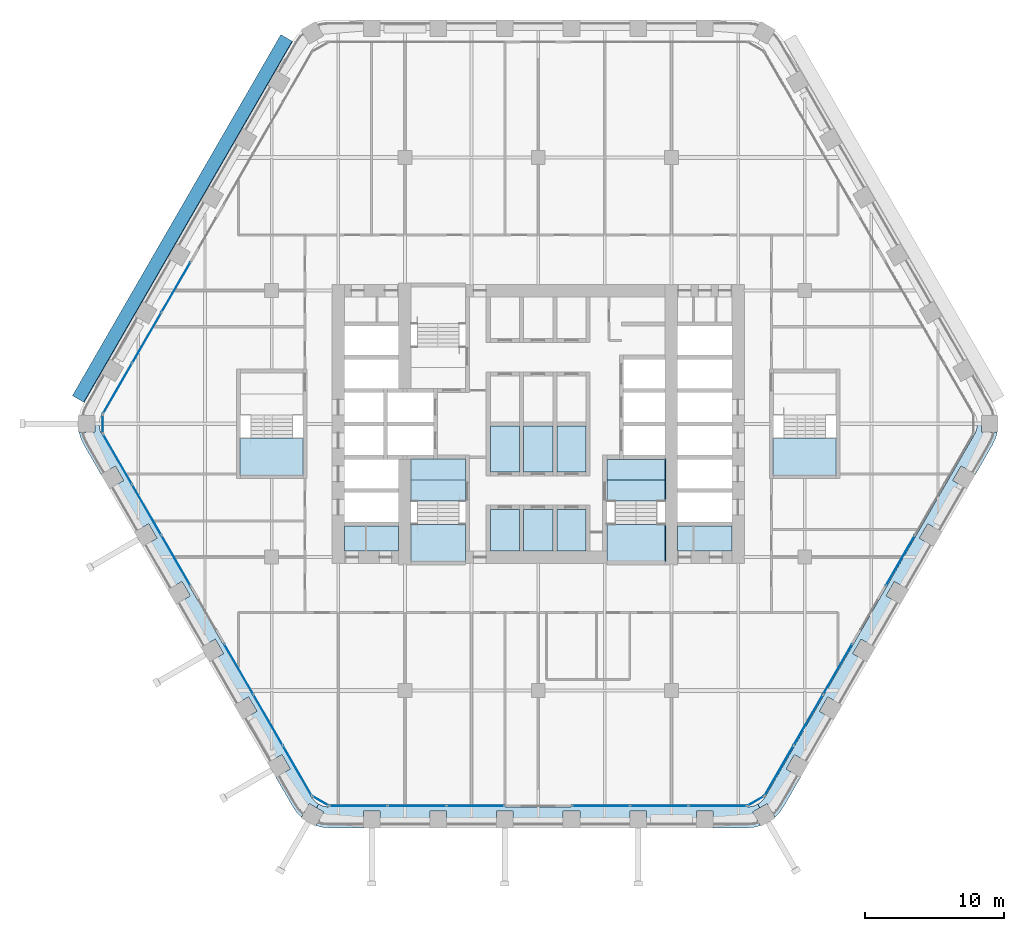
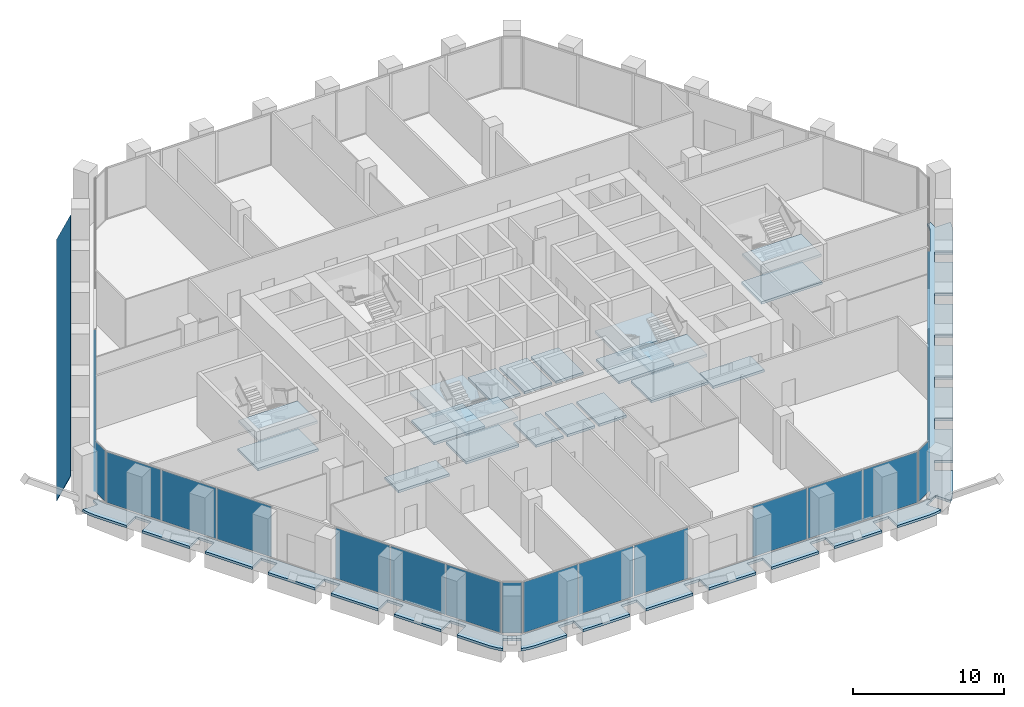
# One storey, part 12 of 26: 25 slabs, 23 plates, 14 elements without a shape of their own.
"""IFC4 building model written with IfcOpenShell, lengths in metres."""

from ifc_helpers import new_model, si_unit, direction, frame, origin, origin_2d, place, context, subcontext, project, spatial, polyline, rectangle, outline, extrude, material, layer, layer_set, type_object, element, aggregate, save


model = new_model("IFC4")

# Units and contexts
model_context = context("Model", 3, precision=1e-05, world=origin(), true_north=direction((0.0, 1.0)))
body_context = subcontext(model_context, "Body", "Model", "MODEL_VIEW")
ifc_project = project(units=[si_unit("LENGTHUNIT", "METRE"), si_unit("AREAUNIT", "SQUARE_METRE"), si_unit("VOLUMEUNIT", "CUBIC_METRE"), si_unit("PLANEANGLEUNIT", "RADIAN"), si_unit("MASSUNIT", "GRAM", prefix="KILO")], contexts=[model_context])

# Site, building, storey
site_placement = place(None, origin())
site = spatial("IfcSite", under=ifc_project, at=site_placement, CompositionType="ELEMENT")
building_placement = place(site_placement, origin())
building = spatial("IfcBuilding", under=site, at=building_placement, Name="Kolab Exchange Tower", CompositionType="ELEMENT")
storey_placement = place(building_placement, frame((0.0, 0.0, 104.89990234375)))
storey = spatial("IfcBuildingStorey", under=building, at=storey_placement, Name="L20", CompositionType="ELEMENT", Elevation=104.89990234375)

# Slabs
ifc_material_1 = material(Name="Concrete C35/45", Category="concrete")
ifc_layer_1 = layer(ifc_material_1, 0.199951171875)
ifc_layer_set_1 = layer_set([ifc_layer_1], Name="Concrete C35/45")
slab_type_1 = type_object("IfcSlabType", Name="FLOOR SLAB 200", PredefinedType="FLOOR", material=ifc_layer_set_1)
slab_1_placement = place(storey_placement, frame((0.0, 0.0, -0.199951171875)))
element("IfcSlab", 1, at=slab_1_placement, inside=storey, type_object=slab_type_1, Name="slab/L20/floor/2", PredefinedType="FLOOR", context=body_context, shape_type="SweptSolid", body=[
    extrude(outline(polyline([(-10.050048828125, -9.14990234375), (-10.050048828125, -7.35009765625), (-13.949951171875, -7.35009765625), (-13.949951171875, -9.14990234375), (-10.050048828125, -9.14990234375)])), origin(), (0.0, 0.0, 1.0), 0.199951171875),
])
slab_2_placement = place(storey_placement, frame((0.0, 0.0, -0.199951171875)))
element("IfcSlab", 2, at=slab_2_placement, inside=storey, type_object=slab_type_1, Name="slab/L20/floor/4", PredefinedType="FLOOR", context=body_context, shape_type="SweptSolid", body=[
    extrude(outline(polyline([(10.050048828125, -9.14990234375), (13.949951171875, -9.14990234375), (13.949951171875, -7.35009765625), (10.050048828125, -7.35009765625), (10.050048828125, -9.14990234375)])), origin(), (0.0, 0.0, 1.0), 0.199951171875),
])
slab_3_placement = place(storey_placement, frame((0.0, 0.0, -0.199951171875)))
element("IfcSlab", 3, at=slab_3_placement, inside=storey, type_object=slab_type_1, Name="slab/L20/floor/6", PredefinedType="FLOOR", context=body_context, shape_type="SweptSolid", body=[
    extrude(outline(polyline([(-1.35009765625, -3.449951171875), (-1.35009765625, -0.14990234375), (-3.449951171875, -0.14990234375), (-3.449951171875, -3.449951171875), (-1.35009765625, -3.449951171875)])), origin(), (0.0, 0.0, 1.0), 0.199951171875),
])
slab_4_placement = place(storey_placement, frame((0.0, 0.0, -0.199951171875)))
element("IfcSlab", 4, at=slab_4_placement, inside=storey, type_object=slab_type_1, Name="slab/L20/floor/8", PredefinedType="FLOOR", context=body_context, shape_type="SweptSolid", body=[
    extrude(outline(polyline([(-1.050048828125, -0.14990234375), (-1.050048828125, -3.449951171875), (1.050048828125, -3.449951171875), (1.050048828125, -0.14990234375), (-1.050048828125, -0.14990234375)])), origin(), (0.0, 0.0, 1.0), 0.199951171875),
])
slab_5_placement = place(storey_placement, frame((0.0, 0.0, -0.199951171875)))
element("IfcSlab", 5, at=slab_5_placement, inside=storey, type_object=slab_type_1, Name="slab/L20/floor/10", PredefinedType="FLOOR", context=body_context, shape_type="SweptSolid", body=[
    extrude(outline(polyline([(1.35009765625, -3.449951171875), (3.449951171875, -3.449951171875), (3.449951171875, -0.14990234375), (1.35009765625, -0.14990234375), (1.35009765625, -3.449951171875)])), origin(), (0.0, 0.0, 1.0), 0.199951171875),
])
slab_6_placement = place(storey_placement, frame((0.0, 0.0, -0.199951171875)))
element("IfcSlab", 6, at=slab_6_placement, inside=storey, type_object=slab_type_1, Name="slab/L20/floor/14", PredefinedType="FLOOR", context=body_context, shape_type="SweptSolid", body=[
    extrude(outline(polyline([(-1.35009765625, -6.14990234375), (-3.449951171875, -6.14990234375), (-3.449951171875, -9.14990234375), (-1.35009765625, -9.14990234375), (-1.35009765625, -6.14990234375)])), origin(), (0.0, 0.0, 1.0), 0.199951171875),
])
slab_7_placement = place(storey_placement, frame((0.0, 0.0, -0.199951171875)))
element("IfcSlab", 7, at=slab_7_placement, inside=storey, type_object=slab_type_1, Name="slab/L20/floor/16", PredefinedType="FLOOR", context=body_context, shape_type="SweptSolid", body=[
    extrude(outline(polyline([(1.050048828125, -6.14990234375), (-1.050048828125, -6.14990234375), (-1.050048828125, -9.14990234375), (1.050048828125, -9.14990234375), (1.050048828125, -6.14990234375)])), origin(), (0.0, 0.0, 1.0), 0.199951171875),
])
slab_8_placement = place(storey_placement, frame((0.0, 0.0, -0.199951171875)))
element("IfcSlab", 8, at=slab_8_placement, inside=storey, type_object=slab_type_1, Name="slab/L20/floor/18", PredefinedType="FLOOR", context=body_context, shape_type="SweptSolid", body=[
    extrude(outline(polyline([(1.35009765625, -6.14990234375), (1.35009765625, -9.14990234375), (3.449951171875, -9.14990234375), (3.449951171875, -6.14990234375), (1.35009765625, -6.14990234375)])), origin(), (0.0, 0.0, 1.0), 0.199951171875),
])
slab_9_placement = place(storey_placement, frame((0.0, 0.0, -0.199951171875)))
element("IfcSlab", 9, at=slab_9_placement, inside=storey, type_object=slab_type_1, Name="slab/L20/floor/20", PredefinedType="FLOOR", context=body_context, shape_type="SweptSolid", body=[
    extrude(outline(polyline([(4.949951171875, -4.050048828125), (9.14990234375, -4.050048828125), (9.14990234375, -2.550048828125), (6.14990234375, -2.550048828125), (5.85009765625, -2.550048828125), (4.949951171875, -2.550048828125), (4.949951171875, -4.050048828125)])), origin(), (0.0, 0.0, 1.0), 0.199951171875),
])
slab_10_placement = place(storey_placement, frame((0.0, 0.0, -0.199951171875)))
element("IfcSlab", 10, at=slab_10_placement, inside=storey, type_object=slab_type_1, Name="slab/L20/floor/21", PredefinedType="FLOOR", context=body_context, shape_type="SweptSolid", body=[
    extrude(outline(polyline([(-9.14990234375, -2.550048828125), (-9.14990234375, -4.050048828125), (-5.25, -4.050048828125), (-5.25, -2.550048828125), (-7.25, -2.550048828125), (-7.550048828125, -2.550048828125), (-9.14990234375, -2.550048828125)])), origin(), (0.0, 0.0, 1.0), 0.199951171875),
])
ifc_layer_2 = layer(ifc_material_1, 0.199951171875)
ifc_layer_set_2 = layer_set([ifc_layer_2], Name="Concrete C35/45")
slab_type_2 = type_object("IfcSlabType", Name="LOGGIA SLAB 200", PredefinedType="FLOOR", material=ifc_layer_set_2)
slab_11_placement = place(storey_placement, frame((0.0, 0.0, -0.199951171875)))
element("IfcSlab", 11, at=slab_11_placement, inside=storey, type_object=slab_type_2, Name="slab/L20/loggia/2-0", PredefinedType="FLOOR", context=body_context, shape_type="SweptSolid", body=[
    extrude(outline(polyline([(17.666015625, -27.598388671875), (18.89990234375, -25.461181640625), (17.86083984375, -24.861083984375), (18.460693359375, -23.822021484375), (19.5, -24.421875), (21.300048828125, -21.30419921875), (20.2607421875, -20.704345703125), (20.86083984375, -19.6650390625), (21.89990234375, -20.264892578125), (23.699951171875, -17.147216796875), (22.660888671875, -16.54736328125), (23.2607421875, -15.508056640625), (24.300048828125, -16.108154296875), (26.10009765625, -12.990478515625), (25.060791015625, -12.390380859375), (25.660888671875, -11.35107421875), (26.699951171875, -11.951171875), (28.5, -8.83349609375), (27.460693359375, -8.2333984375), (28.060791015625, -7.1943359375), (29.10009765625, -7.794189453125), (30.89990234375, -4.676513671875), (29.86083984375, -4.076416015625), (30.460693359375, -3.037353515625), (31.5, -3.63720703125), (32.73388671875, -1.5), (32.955078125, -1.026123046875), (33.069091796875, -0.60009765625), (31.935791015625, -0.60009765625), (31.935791015625, 0.0), (31.635986328125, 0.0), (31.613037109375, -0.260498046875), (31.54541015625, -0.512939453125), (31.434814453125, -0.75), (16.366943359375, -26.848388671875), (16.217041015625, -27.062744140625), (16.0322265625, -27.24755859375), (15.81787109375, -27.3974609375), (15.968017578125, -27.6572265625), (16.487548828125, -27.357177734375), (17.05419921875, -28.338623046875), (17.365966796875, -28.02685546875), (17.666015625, -27.598388671875)])), origin(), (0.0, 0.0, 1.0), 0.199951171875),
])
slab_12_placement = place(storey_placement, frame((0.0, 0.0, -0.199951171875)))
element("IfcSlab", 12, at=slab_12_placement, inside=storey, type_object=slab_type_2, Name="slab/L20/loggia/3-0", PredefinedType="FLOOR", context=body_context, shape_type="SweptSolid", body=[
    extrude(outline(polyline([(-15.81787109375, -27.3974609375), (-15.968017578125, -27.6572265625), (-15.4482421875, -27.957275390625), (-16.014892578125, -28.938720703125), (-15.5888671875, -29.052978515625), (-15.06787109375, -29.098388671875), (-12.60009765625, -29.098388671875), (-12.60009765625, -27.8984375), (-11.39990234375, -27.8984375), (-11.39990234375, -29.098388671875), (-7.800048828125, -29.098388671875), (-7.800048828125, -27.8984375), (-6.60009765625, -27.8984375), (-6.60009765625, -29.098388671875), (-3.0, -29.098388671875), (-3.0, -27.8984375), (-1.800048828125, -27.8984375), (-1.800048828125, -29.098388671875), (1.800048828125, -29.098388671875), (1.800048828125, -27.8984375), (3.0, -27.8984375), (3.0, -29.098388671875), (6.60009765625, -29.098388671875), (6.60009765625, -27.8984375), (7.800048828125, -27.8984375), (7.800048828125, -29.098388671875), (11.39990234375, -29.098388671875), (11.39990234375, -27.8984375), (12.60009765625, -27.8984375), (12.60009765625, -29.098388671875), (15.06787109375, -29.098388671875), (15.5888671875, -29.052978515625), (16.014892578125, -28.938720703125), (15.4482421875, -27.957275390625), (15.968017578125, -27.6572265625), (15.81787109375, -27.3974609375), (15.5810546875, -27.508056640625), (15.328369140625, -27.57568359375), (15.06787109375, -27.598388671875), (-15.06787109375, -27.598388671875), (-15.328369140625, -27.57568359375), (-15.5810546875, -27.508056640625), (-15.81787109375, -27.3974609375)])), origin(), (0.0, 0.0, 1.0), 0.199951171875),
])
slab_13_placement = place(storey_placement, frame((0.0, 0.0, -0.199951171875)))
element("IfcSlab", 13, at=slab_13_placement, inside=storey, type_object=slab_type_2, Name="slab/L20/loggia/4-0", PredefinedType="FLOOR", context=body_context, shape_type="SweptSolid", body=[
    extrude(outline(polyline([(-31.635986328125, 0.0), (-31.935791015625, 0.0), (-31.935791015625, -0.60009765625), (-33.069091796875, -0.60009765625), (-32.955078125, -1.026123046875), (-32.73388671875, -1.5), (-31.5, -3.63720703125), (-30.460693359375, -3.037353515625), (-29.86083984375, -4.076416015625), (-30.89990234375, -4.676513671875), (-29.10009765625, -7.794189453125), (-28.060791015625, -7.1943359375), (-27.460693359375, -8.2333984375), (-28.5, -8.83349609375), (-26.699951171875, -11.951171875), (-25.660888671875, -11.35107421875), (-25.060791015625, -12.390380859375), (-26.10009765625, -12.990478515625), (-24.300048828125, -16.108154296875), (-23.2607421875, -15.508056640625), (-22.660888671875, -16.54736328125), (-23.699951171875, -17.147216796875), (-21.89990234375, -20.264892578125), (-20.86083984375, -19.6650390625), (-20.2607421875, -20.704345703125), (-21.300048828125, -21.30419921875), (-19.5, -24.421875), (-18.460693359375, -23.822021484375), (-17.86083984375, -24.861083984375), (-18.89990234375, -25.461181640625), (-17.666015625, -27.598388671875), (-17.365966796875, -28.02685546875), (-17.05419921875, -28.338623046875), (-16.487548828125, -27.357177734375), (-15.968017578125, -27.6572265625), (-15.81787109375, -27.3974609375), (-16.0322265625, -27.24755859375), (-16.217041015625, -27.062744140625), (-16.366943359375, -26.848388671875), (-31.434814453125, -0.75), (-31.54541015625, -0.512939453125), (-31.613037109375, -0.260498046875), (-31.635986328125, 0.0)])), origin(), (0.0, 0.0, 1.0), 0.199951171875),
])

# Plate
ifc_material_2 = material(Name="Laminated glass, clear", Category="glass")
ifc_layer_3 = layer(ifc_material_2, 0.0400390625)
ifc_layer_set_3 = layer_set([ifc_layer_3], Name="Laminated glass, clear")
plate_type_1 = type_object("IfcPlateType", Name="OUTER SKIN LAMINATED GLASS SHEET 40", PredefinedType="SHEET", material=ifc_layer_set_3)
plate_1_placement = place(storey_placement, frame((-33.55810546875, 2.033447265625, -0.73291015625), z_axis=(-0.78488749746, 0.453155039209, 0.422613448403), x_axis=(0.499999167166, 0.866025884618, -2.126414e-06)))
element("IfcPlate", 14, at=plate_1_placement, inside=storey, type_object=plate_type_1, Name="Outer skin", PredefinedType="SHEET", context=body_context, shape_type="SweptSolid", body=[
    extrude(outline(polyline([(0.0, 0.0), (30.035931798469555, 0.0), (30.035952675587897, -2.234297472395734), (0.00011023910991124468, -2.234156530048972), (0.0, 0.0)])), origin(), (0.0, 0.0, -1.0), 0.0400390625),
])

# Stair, slabs
ifc_material_3 = material(Name="Concrete C50/60", Category="concrete")
stair_type_1 = type_object("IfcStairType", Name="STAIR ST3 RISER 160.7", PredefinedType="DOUBLE_RETURN_STAIR", material=ifc_material_3)
stair_1_placement = place(storey_placement, origin())
stair_1 = element("IfcStair", 15, at=stair_1_placement, inside=storey, type_object=stair_type_1, Name="Stair 3", PredefinedType="DOUBLE_RETURN_STAIR")
ifc_layer_4 = layer(ifc_material_3, 0.199951171875)
ifc_layer_set_4 = layer_set([ifc_layer_4], Name="Concrete C50/60")
slab_type_3 = type_object("IfcSlabType", Name="STAIR LANDING 200", PredefinedType="LANDING", material=ifc_layer_set_4)
slab_14_placement = place(storey_placement, frame((0.0, 0.0, -0.199951171875)))
slab_14 = element("IfcSlab", 16, at=slab_14_placement, type_object=slab_type_3, Name="ST3 landing 1", PredefinedType="LANDING", context=body_context, shape_type="SweptSolid", body=[
    extrude(outline(polyline([(-9.14990234375, -5.550048828125), (-5.25, -5.550048828125), (-5.25, -4.050048828125), (-9.14990234375, -4.050048828125), (-9.14990234375, -5.550048828125)])), origin(), (0.0, 0.0, 1.0), 0.199951171875),
])
slab_15_placement = place(storey_placement, frame((0.0, 0.0, 0.925048828125)))
slab_15 = element("IfcSlab", 17, at=slab_15_placement, type_object=slab_type_3, Name="ST3 landing 2", PredefinedType="LANDING", context=body_context, shape_type="SweptSolid", body=[
    extrude(outline(polyline([(-9.2099609375, -9.909912109375), (-5.18994140625, -9.909912109375), (-5.18994140625, -7.22998046875), (-9.2099609375, -7.22998046875), (-9.2099609375, -9.909912109375)])), origin(), (0.0, 0.0, 1.0), 0.199951171875),
])
slab_16_placement = place(storey_placement, frame((0.0, 0.0, 2.050048828125)))
slab_16 = element("IfcSlab", 18, at=slab_16_placement, type_object=slab_type_3, Name="ST3 landing 3", PredefinedType="LANDING", context=body_context, shape_type="SweptSolid", body=[
    extrude(outline(polyline([(-9.2099609375, -5.550048828125), (-5.18994140625, -5.550048828125), (-5.18994140625, -2.489990234375), (-9.2099609375, -2.489990234375), (-9.2099609375, -5.550048828125)])), origin(), (0.0, 0.0, 1.0), 0.199951171875),
])
slab_17_placement = place(storey_placement, frame((0.0, 0.0, 3.175048828125)))
slab_17 = element("IfcSlab", 19, at=slab_17_placement, type_object=slab_type_3, Name="ST3 landing 4", PredefinedType="LANDING", context=body_context, shape_type="SweptSolid", body=[
    extrude(outline(polyline([(-9.14990234375, -9.909912109375), (-5.25, -9.909912109375), (-5.25, -7.22998046875), (-9.14990234375, -7.22998046875), (-9.14990234375, -9.909912109375)])), origin(), (0.0, 0.0, 1.0), 0.199951171875),
])
aggregate(stair_1, [slab_14, slab_15, slab_16, slab_17])

stair_type_2 = type_object("IfcStairType", Name="STAIR ST2 RISER 160.7", PredefinedType="DOUBLE_RETURN_STAIR", material=ifc_material_3)
stair_2_placement = place(storey_placement, origin())
stair_2 = element("IfcStair", 20, at=stair_2_placement, inside=storey, type_object=stair_type_2, Name="Stair 2", PredefinedType="DOUBLE_RETURN_STAIR")
slab_18_placement = place(storey_placement, frame((0.0, 0.0, -0.199951171875)))
slab_18 = element("IfcSlab", 21, at=slab_18_placement, type_object=slab_type_3, Name="ST2 landing 1", PredefinedType="LANDING", context=body_context, shape_type="SweptSolid", body=[
    extrude(outline(polyline([(4.949951171875, -5.550048828125), (9.14990234375, -5.550048828125), (9.14990234375, -4.050048828125), (4.949951171875, -4.050048828125), (4.949951171875, -5.550048828125)])), origin(), (0.0, 0.0, 1.0), 0.199951171875),
])
slab_19_placement = place(storey_placement, frame((0.0, 0.0, 0.925048828125)))
slab_19 = element("IfcSlab", 22, at=slab_19_placement, type_object=slab_type_3, Name="ST2 landing 2", PredefinedType="LANDING", context=body_context, shape_type="SweptSolid", body=[
    extrude(outline(polyline([(4.889892578125, -9.909912109375), (9.2099609375, -9.909912109375), (9.2099609375, -7.22998046875), (4.889892578125, -7.22998046875), (4.889892578125, -9.909912109375)])), origin(), (0.0, 0.0, 1.0), 0.199951171875),
])
slab_20_placement = place(storey_placement, frame((0.0, 0.0, 2.050048828125)))
slab_20 = element("IfcSlab", 23, at=slab_20_placement, type_object=slab_type_3, Name="ST2 landing 3", PredefinedType="LANDING", context=body_context, shape_type="SweptSolid", body=[
    extrude(outline(polyline([(4.889892578125, -5.550048828125), (9.2099609375, -5.550048828125), (9.2099609375, -2.489990234375), (4.889892578125, -2.489990234375), (4.889892578125, -5.550048828125)])), origin(), (0.0, 0.0, 1.0), 0.199951171875),
])
slab_21_placement = place(storey_placement, frame((0.0, 0.0, 3.175048828125)))
slab_21 = element("IfcSlab", 24, at=slab_21_placement, type_object=slab_type_3, Name="ST2 landing 4", PredefinedType="LANDING", context=body_context, shape_type="SweptSolid", body=[
    extrude(outline(polyline([(4.949951171875, -9.909912109375), (9.14990234375, -9.909912109375), (9.14990234375, -7.22998046875), (4.949951171875, -7.22998046875), (4.949951171875, -9.909912109375)])), origin(), (0.0, 0.0, 1.0), 0.199951171875),
])
aggregate(stair_2, [slab_18, slab_19, slab_20, slab_21])

stair_type_3 = type_object("IfcStairType", Name="STAIR ST4 RISER 160.7", PredefinedType="DOUBLE_RETURN_STAIR", material=ifc_material_3)
stair_3_placement = place(storey_placement, origin())
stair_3 = element("IfcStair", 25, at=stair_3_placement, inside=storey, type_object=stair_type_3, Name="Stair 4", PredefinedType="DOUBLE_RETURN_STAIR")
slab_22_placement = place(storey_placement, frame((0.0, 0.0, 0.925048828125)))
slab_22 = element("IfcSlab", 26, at=slab_22_placement, type_object=slab_type_3, Name="ST4 landing 2", PredefinedType="LANDING", context=body_context, shape_type="SweptSolid", body=[
    extrude(outline(polyline([(16.889892578125, -3.7099609375), (21.510009765625, -3.7099609375), (21.510009765625, -1.030029296875), (16.889892578125, -1.030029296875), (16.889892578125, -3.7099609375)])), origin(), (0.0, 0.0, 1.0), 0.199951171875),
])
slab_23_placement = place(storey_placement, frame((0.0, 0.0, 3.175048828125)))
slab_23 = element("IfcSlab", 27, at=slab_23_placement, type_object=slab_type_3, Name="ST4 landing 4", PredefinedType="LANDING", context=body_context, shape_type="SweptSolid", body=[
    extrude(outline(polyline([(16.949951171875, -3.7099609375), (21.449951171875, -3.7099609375), (21.449951171875, -1.030029296875), (16.949951171875, -1.030029296875), (16.949951171875, -3.7099609375)])), origin(), (0.0, 0.0, 1.0), 0.199951171875),
])
aggregate(stair_3, [slab_22, slab_23])

stair_type_4 = type_object("IfcStairType", Name="STAIR ST5 RISER 160.7", PredefinedType="DOUBLE_RETURN_STAIR", material=ifc_material_3)
stair_4_placement = place(storey_placement, origin())
stair_4 = element("IfcStair", 28, at=stair_4_placement, inside=storey, type_object=stair_type_4, Name="Stair 5", PredefinedType="DOUBLE_RETURN_STAIR")
slab_24_placement = place(storey_placement, frame((0.0, 0.0, 0.925048828125)))
slab_24 = element("IfcSlab", 29, at=slab_24_placement, type_object=slab_type_3, Name="ST5 landing 2", PredefinedType="LANDING", context=body_context, shape_type="SweptSolid", body=[
    extrude(outline(polyline([(-21.510009765625, -3.7099609375), (-16.889892578125, -3.7099609375), (-16.889892578125, -1.030029296875), (-21.510009765625, -1.030029296875), (-21.510009765625, -3.7099609375)])), origin(), (0.0, 0.0, 1.0), 0.199951171875),
])
slab_25_placement = place(storey_placement, frame((0.0, 0.0, 3.175048828125)))
slab_25 = element("IfcSlab", 30, at=slab_25_placement, type_object=slab_type_3, Name="ST5 landing 4", PredefinedType="LANDING", context=body_context, shape_type="SweptSolid", body=[
    extrude(outline(polyline([(-21.449951171875, -3.7099609375), (-16.949951171875, -3.7099609375), (-16.949951171875, -1.030029296875), (-21.449951171875, -1.030029296875), (-21.449951171875, -3.7099609375)])), origin(), (0.0, 0.0, 1.0), 0.199951171875),
])
aggregate(stair_4, [slab_24, slab_25])

# Curtain wall, plate
ifc_material_4 = material(Name="Aluminium EN AW-6063 T6", Category="aluminium")
curtain_wall_type = type_object("IfcCurtainWallType", Name="UNITISED LOWER MID ZONE CURTAIN WALL", PredefinedType="NOTDEFINED", material=ifc_material_4)
curtain_wall_1_placement = place(storey_placement, origin())
curtain_wall_1 = element("IfcCurtainWall", 31, at=curtain_wall_1_placement, inside=storey, type_object=curtain_wall_type, Name="cw/L20/F3-1", PredefinedType="NOTDEFINED")
ifc_material_5 = material(Name="Clear insulated glazing unit", Category="glass")
ifc_layer_5 = layer(ifc_material_5, 0.02587890625)
ifc_layer_set_5 = layer_set([ifc_layer_5], Name="Clear insulated glazing unit")
plate_type_2 = type_object("IfcPlateType", Name="UNITISED LOWER MID ZONE GLASS PANEL 26", PredefinedType="CURTAIN_PANEL", material=ifc_layer_set_5)
plate_2_placement = place(storey_placement, frame((26.0947265625, -9.83935546875, 0.06005859375), z_axis=(0.0, 0.0, 1.0), x_axis=(-0.499999958358, -0.866025427826, 0.0)))
plate_2 = element("IfcPlate", 32, at=plate_2_placement, type_object=plate_type_2, Name="CW2 panel 3.1", PredefinedType="CURTAIN_PANEL", context=body_context, shape_type="SweptSolid", body=[
    extrude(rectangle(XDim=4.132568359375, YDim=0.02587890625, at=origin_2d()), origin(), (0.0, 0.0, 1.0), 4.080078125),
])
aggregate(curtain_wall_1, [plate_2])

# Curtain wall, plates
curtain_wall_2_placement = place(storey_placement, origin())
curtain_wall_2 = element("IfcCurtainWall", 33, at=curtain_wall_2_placement, inside=storey, type_object=curtain_wall_type, Name="cw/L20/F3-2", PredefinedType="NOTDEFINED")
plate_3_placement = place(storey_placement, frame((21.568603515625, -17.67919921875, 0.06005859375), z_axis=(0.0, 0.0, 1.0), x_axis=(-0.500000017564, -0.866025393644, 0.0)))
plate_3 = element("IfcPlate", 34, at=plate_3_placement, type_object=plate_type_2, Name="CW2 panel 1.1", PredefinedType="CURTAIN_PANEL", context=body_context, shape_type="SweptSolid", body=[
    extrude(rectangle(XDim=4.132568359375, YDim=0.02587890625, at=origin_2d()), origin(), (0.0, 0.0, 1.0), 4.080078125),
])
plate_4_placement = place(storey_placement, frame((19.464599609375, -21.322998046875, 0.06005859375), z_axis=(0.0, 0.0, 1.0), x_axis=(-0.500000017564, -0.866025393644, 0.0)))
plate_4 = element("IfcPlate", 35, at=plate_4_placement, type_object=plate_type_2, Name="CW2 panel 2.1", PredefinedType="CURTAIN_PANEL", context=body_context, shape_type="SweptSolid", body=[
    extrude(rectangle(XDim=4.16259765625, YDim=0.02587890625, at=origin_2d()), origin(), (0.0, 0.0, 1.0), 4.080078125),
])
plate_5_placement = place(storey_placement, frame((17.36083984375, -24.967041015625, 0.06005859375), z_axis=(0.0, 0.0, 1.0), x_axis=(-0.500000017564, -0.866025393644, 0.0)))
plate_5 = element("IfcPlate", 36, at=plate_5_placement, type_object=plate_type_2, Name="CW2 panel 3.1", PredefinedType="CURTAIN_PANEL", context=body_context, shape_type="SweptSolid", body=[
    extrude(rectangle(XDim=4.132568359375, YDim=0.02587890625, at=origin_2d()), origin(), (0.0, 0.0, 1.0), 4.080078125),
])
aggregate(curtain_wall_2, [plate_3, plate_4, plate_5])

curtain_wall_3_placement = place(storey_placement, origin())
curtain_wall_3 = element("IfcCurtainWall", 37, at=curtain_wall_3_placement, inside=storey, type_object=curtain_wall_type, Name="cw/L20/F4-1", PredefinedType="NOTDEFINED")
plate_6_placement = place(storey_placement, frame((12.941650390625, -27.5185546875, 0.06005859375), z_axis=(0.0, 0.0, 1.0), x_axis=(-1.0, 0.0, 0.0)))
plate_6 = element("IfcPlate", 38, at=plate_6_placement, type_object=plate_type_2, Name="CW2 panel 1.1", PredefinedType="CURTAIN_PANEL", context=body_context, shape_type="SweptSolid", body=[
    extrude(rectangle(XDim=4.132568359375, YDim=0.02587890625, at=origin_2d()), origin(), (0.0, 0.0, 1.0), 4.080078125),
])
plate_7_placement = place(storey_placement, frame((8.73388671875, -27.5185546875, 0.06005859375), z_axis=(0.0, 0.0, 1.0), x_axis=(-1.0, 0.0, 0.0)))
plate_7 = element("IfcPlate", 39, at=plate_7_placement, type_object=plate_type_2, Name="CW2 panel 2.1", PredefinedType="CURTAIN_PANEL", context=body_context, shape_type="SweptSolid", body=[
    extrude(rectangle(XDim=4.16259765625, YDim=0.02587890625, at=origin_2d()), origin(), (0.0, 0.0, 1.0), 4.080078125),
])
plate_8_placement = place(storey_placement, frame((4.5263671875, -27.5185546875, 0.06005859375), z_axis=(0.0, 0.0, 1.0), x_axis=(-1.0, 0.0, 0.0)))
plate_8 = element("IfcPlate", 40, at=plate_8_placement, type_object=plate_type_2, Name="CW2 panel 3.1", PredefinedType="CURTAIN_PANEL", context=body_context, shape_type="SweptSolid", body=[
    extrude(rectangle(XDim=4.132568359375, YDim=0.02587890625, at=origin_2d()), origin(), (0.0, 0.0, 1.0), 4.080078125),
])
aggregate(curtain_wall_3, [plate_6, plate_7, plate_8])

curtain_wall_4_placement = place(storey_placement, origin())
curtain_wall_4 = element("IfcCurtainWall", 41, at=curtain_wall_4_placement, inside=storey, type_object=curtain_wall_type, Name="cw/L20/F4-2", PredefinedType="NOTDEFINED")
plate_9_placement = place(storey_placement, frame((-4.5263671875, -27.5185546875, 0.06005859375), z_axis=(0.0, 0.0, 1.0), x_axis=(-1.0, 0.0, 0.0)))
plate_9 = element("IfcPlate", 42, at=plate_9_placement, type_object=plate_type_2, Name="CW2 panel 1.1", PredefinedType="CURTAIN_PANEL", context=body_context, shape_type="SweptSolid", body=[
    extrude(rectangle(XDim=4.132568359375, YDim=0.02587890625, at=origin_2d()), origin(), (0.0, 0.0, 1.0), 4.080078125),
])
plate_10_placement = place(storey_placement, frame((-8.73388671875, -27.5185546875, 0.06005859375), z_axis=(0.0, 0.0, 1.0), x_axis=(-1.0, 0.0, 0.0)))
plate_10 = element("IfcPlate", 43, at=plate_10_placement, type_object=plate_type_2, Name="CW2 panel 2.1", PredefinedType="CURTAIN_PANEL", context=body_context, shape_type="SweptSolid", body=[
    extrude(rectangle(XDim=4.16259765625, YDim=0.02587890625, at=origin_2d()), origin(), (0.0, 0.0, 1.0), 4.080078125),
])
plate_11_placement = place(storey_placement, frame((-12.941650390625, -27.5185546875, 0.06005859375), z_axis=(0.0, 0.0, 1.0), x_axis=(-1.0, 0.0, 0.0)))
plate_11 = element("IfcPlate", 44, at=plate_11_placement, type_object=plate_type_2, Name="CW2 panel 3.1", PredefinedType="CURTAIN_PANEL", context=body_context, shape_type="SweptSolid", body=[
    extrude(rectangle(XDim=4.132568359375, YDim=0.02587890625, at=origin_2d()), origin(), (0.0, 0.0, 1.0), 4.080078125),
])
aggregate(curtain_wall_4, [plate_9, plate_10, plate_11])

curtain_wall_5_placement = place(storey_placement, origin())
curtain_wall_5 = element("IfcCurtainWall", 45, at=curtain_wall_5_placement, inside=storey, type_object=curtain_wall_type, Name="cw/L20/F5-1", PredefinedType="NOTDEFINED")
plate_12_placement = place(storey_placement, frame((-17.36083984375, -24.967041015625, 0.06005859375), z_axis=(0.0, 0.0, 1.0), x_axis=(-0.500000017564, 0.866025393644, 0.0)))
plate_12 = element("IfcPlate", 46, at=plate_12_placement, type_object=plate_type_2, Name="CW2 panel 1.1", PredefinedType="CURTAIN_PANEL", context=body_context, shape_type="SweptSolid", body=[
    extrude(rectangle(XDim=4.132568359375, YDim=0.02587890625, at=origin_2d()), origin(), (0.0, 0.0, 1.0), 4.080078125),
])
plate_13_placement = place(storey_placement, frame((-19.464599609375, -21.322998046875, 0.06005859375), z_axis=(0.0, 0.0, 1.0), x_axis=(-0.500000017564, 0.866025393644, 0.0)))
plate_13 = element("IfcPlate", 47, at=plate_13_placement, type_object=plate_type_2, Name="CW2 panel 2.1", PredefinedType="CURTAIN_PANEL", context=body_context, shape_type="SweptSolid", body=[
    extrude(rectangle(XDim=4.16259765625, YDim=0.02587890625, at=origin_2d()), origin(), (0.0, 0.0, 1.0), 4.080078125),
])
plate_14_placement = place(storey_placement, frame((-21.568603515625, -17.67919921875, 0.06005859375), z_axis=(0.0, 0.0, 1.0), x_axis=(-0.500000017564, 0.866025393644, 0.0)))
plate_14 = element("IfcPlate", 48, at=plate_14_placement, type_object=plate_type_2, Name="CW2 panel 3.1", PredefinedType="CURTAIN_PANEL", context=body_context, shape_type="SweptSolid", body=[
    extrude(rectangle(XDim=4.132568359375, YDim=0.02587890625, at=origin_2d()), origin(), (0.0, 0.0, 1.0), 4.080078125),
])
aggregate(curtain_wall_5, [plate_12, plate_13, plate_14])

curtain_wall_6_placement = place(storey_placement, origin())
curtain_wall_6 = element("IfcCurtainWall", 49, at=curtain_wall_6_placement, inside=storey, type_object=curtain_wall_type, Name="cw/L20/F5-2", PredefinedType="NOTDEFINED")
plate_15_placement = place(storey_placement, frame((-26.0947265625, -9.83935546875, 0.06005859375), z_axis=(0.0, 0.0, 1.0), x_axis=(-0.499999958358, 0.866025427826, 0.0)))
plate_15 = element("IfcPlate", 50, at=plate_15_placement, type_object=plate_type_2, Name="CW2 panel 1.1", PredefinedType="CURTAIN_PANEL", context=body_context, shape_type="SweptSolid", body=[
    extrude(rectangle(XDim=4.132568359375, YDim=0.02587890625, at=origin_2d()), origin(), (0.0, 0.0, 1.0), 4.080078125),
])
plate_16_placement = place(storey_placement, frame((-28.19873046875, -6.1953125, 0.06005859375), z_axis=(0.0, 0.0, 1.0), x_axis=(-0.499999958358, 0.866025427826, 0.0)))
plate_16 = element("IfcPlate", 51, at=plate_16_placement, type_object=plate_type_2, Name="CW2 panel 2.1", PredefinedType="CURTAIN_PANEL", context=body_context, shape_type="SweptSolid", body=[
    extrude(rectangle(XDim=4.16259765625, YDim=0.02587890625, at=origin_2d()), origin(), (0.0, 0.0, 1.0), 4.080078125),
])
plate_17_placement = place(storey_placement, frame((-30.302490234375, -2.551513671875, 0.06005859375), z_axis=(0.0, 0.0, 1.0), x_axis=(-0.499999958358, 0.866025427826, 0.0)))
plate_17 = element("IfcPlate", 52, at=plate_17_placement, type_object=plate_type_2, Name="CW2 panel 3.1", PredefinedType="CURTAIN_PANEL", context=body_context, shape_type="SweptSolid", body=[
    extrude(rectangle(XDim=4.132568359375, YDim=0.02587890625, at=origin_2d()), origin(), (0.0, 0.0, 1.0), 4.080078125),
])
aggregate(curtain_wall_6, [plate_15, plate_16, plate_17])

curtain_wall_7_placement = place(storey_placement, origin())
curtain_wall_7 = element("IfcCurtainWall", 53, at=curtain_wall_7_placement, inside=storey, type_object=curtain_wall_type, Name="cw/L20/F6-1", PredefinedType="NOTDEFINED")
plate_18_placement = place(storey_placement, frame((-30.302490234375, 2.551513671875, 0.06005859375), z_axis=(0.0, 0.0, 1.0), x_axis=(0.499999958358, 0.866025427826, 0.0)))
plate_18 = element("IfcPlate", 54, at=plate_18_placement, type_object=plate_type_2, Name="CW2 panel 1.1", PredefinedType="CURTAIN_PANEL", context=body_context, shape_type="SweptSolid", body=[
    extrude(rectangle(XDim=4.132568359375, YDim=0.02587890625, at=origin_2d()), origin(), (0.0, 0.0, 1.0), 4.080078125),
])
plate_19_placement = place(storey_placement, frame((-28.19873046875, 6.1953125, 0.06005859375), z_axis=(0.0, 0.0, 1.0), x_axis=(0.499999958358, 0.866025427826, 0.0)))
plate_19 = element("IfcPlate", 55, at=plate_19_placement, type_object=plate_type_2, Name="CW2 panel 2.1", PredefinedType="CURTAIN_PANEL", context=body_context, shape_type="SweptSolid", body=[
    extrude(rectangle(XDim=4.16259765625, YDim=0.02587890625, at=origin_2d()), origin(), (0.0, 0.0, 1.0), 4.080078125),
])
plate_20_placement = place(storey_placement, frame((-26.0947265625, 9.83935546875, 0.06005859375), z_axis=(0.0, 0.0, 1.0), x_axis=(0.499999958358, 0.866025427826, 0.0)))
plate_20 = element("IfcPlate", 56, at=plate_20_placement, type_object=plate_type_2, Name="CW2 panel 3.1", PredefinedType="CURTAIN_PANEL", context=body_context, shape_type="SweptSolid", body=[
    extrude(rectangle(XDim=4.132568359375, YDim=0.02587890625, at=origin_2d()), origin(), (0.0, 0.0, 1.0), 4.080078125),
])
aggregate(curtain_wall_7, [plate_18, plate_19, plate_20])

# Curtain wall, plate
curtain_wall_8_placement = place(storey_placement, origin())
curtain_wall_8 = element("IfcCurtainWall", 57, at=curtain_wall_8_placement, inside=storey, type_object=curtain_wall_type, Name="cw/L20/F3F4-corner", PredefinedType="NOTDEFINED")
plate_21_placement = place(storey_placement, frame((15.682861328125, -27.16357421875, 0.06005859375), z_axis=(0.0, 0.0, 1.0), x_axis=(-0.866025390869, -0.50000002237, 0.0)))
plate_21 = element("IfcPlate", 58, at=plate_21_placement, type_object=plate_type_2, Name="CW2 panel 1.1", PredefinedType="CURTAIN_PANEL", context=body_context, shape_type="SweptSolid", body=[
    extrude(rectangle(XDim=1.300048828125, YDim=0.02587890625, at=origin_2d()), origin(), (0.0, 0.0, 1.0), 4.080078125),
])
aggregate(curtain_wall_8, [plate_21])

curtain_wall_9_placement = place(storey_placement, origin())
curtain_wall_9 = element("IfcCurtainWall", 59, at=curtain_wall_9_placement, inside=storey, type_object=curtain_wall_type, Name="cw/L20/F4F5-corner", PredefinedType="NOTDEFINED")
plate_22_placement = place(storey_placement, frame((-15.682861328125, -27.16357421875, 0.06005859375), z_axis=(0.0, 0.0, 1.0), x_axis=(-0.866025390869, 0.50000002237, 0.0)))
plate_22 = element("IfcPlate", 60, at=plate_22_placement, type_object=plate_type_2, Name="CW2 panel 1.1", PredefinedType="CURTAIN_PANEL", context=body_context, shape_type="SweptSolid", body=[
    extrude(rectangle(XDim=1.300048828125, YDim=0.02587890625, at=origin_2d()), origin(), (0.0, 0.0, 1.0), 4.080078125),
])
aggregate(curtain_wall_9, [plate_22])

curtain_wall_10_placement = place(storey_placement, origin())
curtain_wall_10 = element("IfcCurtainWall", 61, at=curtain_wall_10_placement, inside=storey, type_object=curtain_wall_type, Name="cw/L20/F5F6-corner", PredefinedType="NOTDEFINED")
plate_23_placement = place(storey_placement, frame((-31.36572265625, 0.0, 0.06005859375), z_axis=(0.0, 0.0, 1.0), x_axis=(0.0, 1.0, 0.0)))
plate_23 = element("IfcPlate", 62, at=plate_23_placement, type_object=plate_type_2, Name="CW2 panel 1.1", PredefinedType="CURTAIN_PANEL", context=body_context, shape_type="SweptSolid", body=[
    extrude(rectangle(XDim=1.300048828125, YDim=0.02587890625, at=origin_2d()), origin(), (0.0, 0.0, 1.0), 4.080078125),
])
aggregate(curtain_wall_10, [plate_23])

save(model, "model.ifc")
